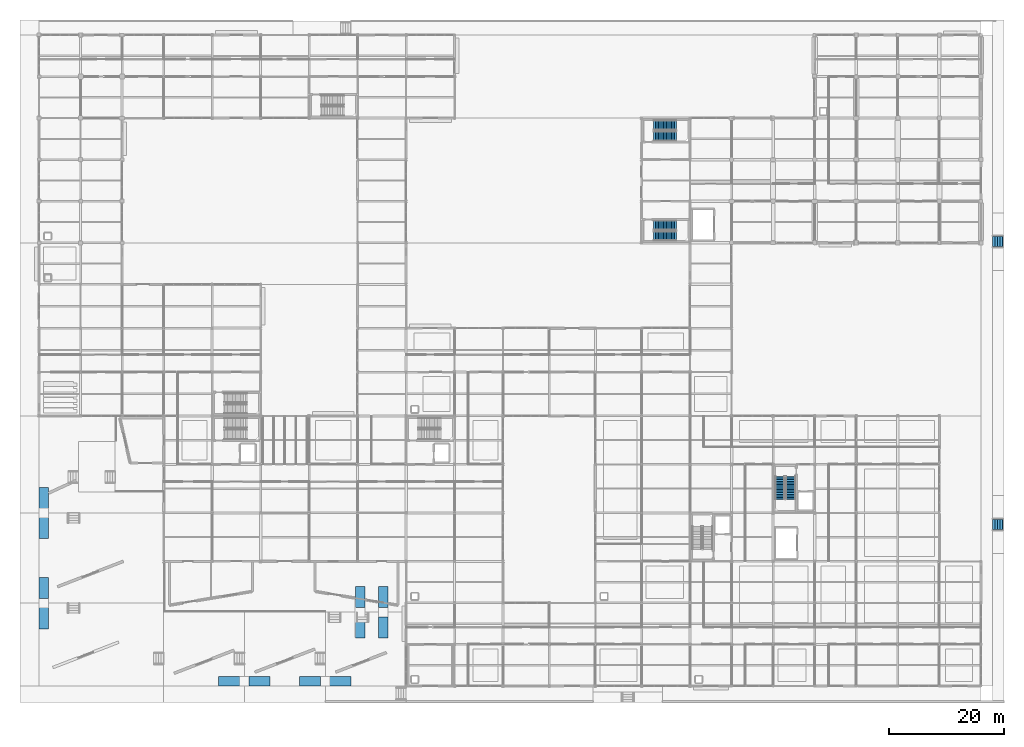
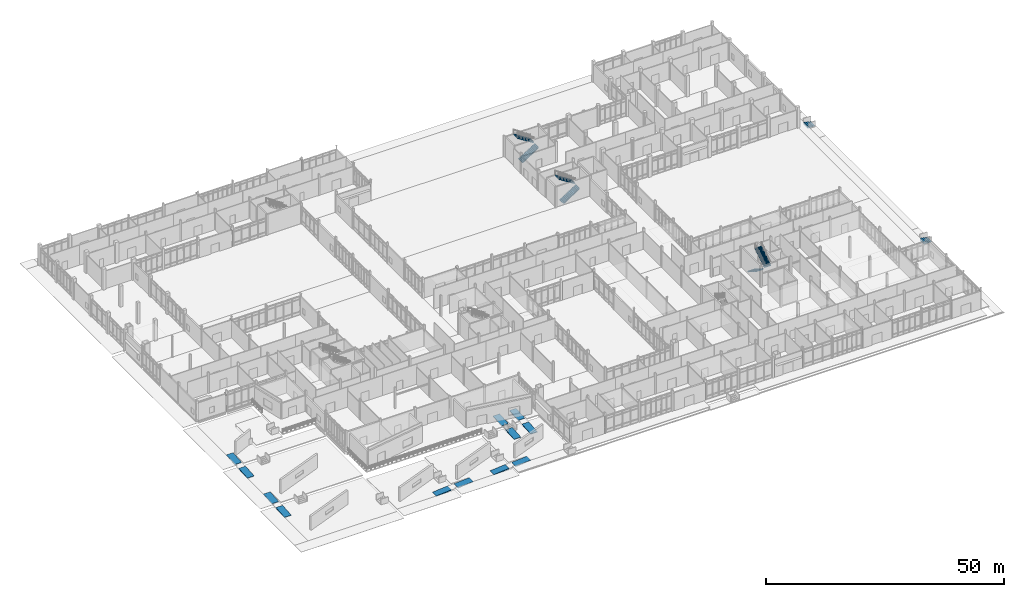
# One storey, part 204 of 229: 12 ramp flights, 8 stair flights, 11 elements without a shape of their own.
"""IFC4 building model written with IfcOpenShell, lengths in metres."""

from ifc_helpers import new_model, si_unit, direction, frame, origin, place, context, subcontext, project, spatial, polyline, outline, extrude, material, layer, layer_set, type_object, element, aggregate, save


model = new_model("IFC4")

# Units and contexts
model_context = context("Model", 3, precision=1e-05, world=origin(), true_north=direction((0.0, 1.0)))
body_context = subcontext(model_context, "Body", "Model", "MODEL_VIEW")
ifc_project = project(units=[si_unit("LENGTHUNIT", "METRE"), si_unit("AREAUNIT", "SQUARE_METRE"), si_unit("VOLUMEUNIT", "CUBIC_METRE"), si_unit("PLANEANGLEUNIT", "RADIAN"), si_unit("MASSUNIT", "GRAM", prefix="KILO")], contexts=[model_context])

# Site, building, storey
site_placement = place(None, origin())
site = spatial("IfcSite", under=ifc_project, at=site_placement, CompositionType="ELEMENT")
building_placement = place(site_placement, origin())
building = spatial("IfcBuilding", under=site, at=building_placement, Name="Calvrana Isthmian Art Gallery", CompositionType="ELEMENT")
storey_placement = place(building_placement, origin())
storey = spatial("IfcBuildingStorey", under=building, at=storey_placement, Name="L00", CompositionType="ELEMENT", Elevation=0.0)

# Stair, stair flights
ifc_material = material(Name="Concrete C40/50", Category="concrete")
stair_type_1 = type_object("IfcStairType", Name="STR-HT-540", PredefinedType="HALF_TURN_STAIR", material=ifc_material)
stair_1_placement = place(storey_placement, origin())
stair_1 = element("IfcStair", 1, at=stair_1_placement, inside=storey, type_object=stair_type_1, Name="Protected exit stair ST-4 (L00)", PredefinedType="HALF_TURN_STAIR")
stair_flight_type_1 = type_object("IfcStairFlightType", Name="STF-1660", PredefinedType="STRAIGHT", material=ifc_material)
stair_flight_1_placement = place(storey_placement, frame((128.3798828125, 36.300048828125, 0.0), z_axis=(0.0, 0.0, 1.0), x_axis=(0.0, -1.0, 0.0)))
stair_flight_1 = element("IfcStairFlight", 2, at=stair_flight_1_placement, type_object=stair_flight_type_1, Name="ST-4 flight 1", NumberOfRisers=15, NumberOfTreads=14, PredefinedType="STRAIGHT", RiserHeight=0.18, TreadLength=0.28, context=body_context, shape_type="SweptSolid", body=[
    extrude(outline(polyline([(-0.02490234375, 0.0), (-0.02490234375, 0.06005859375), (0.0, 0.06005859375), (0.0, 0.179931640625), (0.280029296875, 0.179931640625), (0.280029296875, 0.360107421875), (0.56005859375, 0.360107421875), (0.56005859375, 0.5400390625), (0.840087890625, 0.5400390625), (0.840087890625, 0.719970703125), (1.1201171875, 0.719970703125), (1.1201171875, 0.89990234375), (1.39990234375, 0.89990234375), (1.39990234375, 1.080078125), (1.679931640625, 1.080078125), (1.679931640625, 1.260009765625), (1.9599609375, 1.260009765625), (1.9599609375, 1.43994140625), (2.239990234375, 1.43994140625), (2.239990234375, 1.6201171875), (2.52001953125, 1.6201171875), (2.52001953125, 1.800048828125), (2.800048828125, 1.800048828125), (2.800048828125, 1.97998046875), (3.080078125, 1.97998046875), (3.080078125, 2.159912109375), (3.360107421875, 2.159912109375), (3.360107421875, 2.340087890625), (3.639892578125, 2.340087890625), (3.639892578125, 2.52001953125), (3.919921875, 2.52001953125), (3.919921875, 2.699951171875), (3.945068359375, 2.699951171875), (3.945068359375, 2.341796875), (3.919921875, 2.341796875), (0.277099609375, 0.0), (-0.02490234375, 0.0)])), frame((0.0, 0.830078125, 0.0), z_axis=(0.0, -1.0, 0.0), x_axis=(1.0, 0.0, 0.0)), (0.0, 0.0, 1.0), 1.659912109375),
])
stair_flight_2_placement = place(storey_placement, frame((130.239990234375, 32.3798828125, 2.699951171875), z_axis=(0.0, 0.0, 1.0), x_axis=(0.0, 1.0, 0.0)))
stair_flight_2 = element("IfcStairFlight", 3, at=stair_flight_2_placement, type_object=stair_flight_type_1, Name="ST-4 flight 2", NumberOfRisers=15, NumberOfTreads=14, PredefinedType="STRAIGHT", RiserHeight=0.18, TreadLength=0.28, context=body_context, shape_type="SweptSolid", body=[
    extrude(outline(polyline([(-0.02490234375, 0.0), (-0.02490234375, 0.06005859375), (0.0, 0.06005859375), (0.0, 0.179931640625), (0.280029296875, 0.179931640625), (0.280029296875, 0.360107421875), (0.56005859375, 0.360107421875), (0.56005859375, 0.5400390625), (0.840087890625, 0.5400390625), (0.840087890625, 0.719970703125), (1.1201171875, 0.719970703125), (1.1201171875, 0.89990234375), (1.39990234375, 0.89990234375), (1.39990234375, 1.080078125), (1.679931640625, 1.080078125), (1.679931640625, 1.260009765625), (1.9599609375, 1.260009765625), (1.9599609375, 1.43994140625), (2.239990234375, 1.43994140625), (2.239990234375, 1.6201171875), (2.52001953125, 1.6201171875), (2.52001953125, 1.800048828125), (2.800048828125, 1.800048828125), (2.800048828125, 1.97998046875), (3.080078125, 1.97998046875), (3.080078125, 2.159912109375), (3.360107421875, 2.159912109375), (3.360107421875, 2.340087890625), (3.639892578125, 2.340087890625), (3.639892578125, 2.52001953125), (3.919921875, 2.52001953125), (3.919921875, 2.699951171875), (3.945068359375, 2.699951171875), (3.945068359375, 2.341796875), (3.919921875, 2.341796875), (0.277099609375, 0.0), (-0.02490234375, 0.0)])), frame((0.0, 0.830078125, 0.0), z_axis=(0.0, -1.0, 0.0), x_axis=(1.0, 0.0, 0.0)), (0.0, 0.0, 1.0), 1.659912109375),
])
aggregate(stair_1, [stair_flight_1, stair_flight_2])

stair_2_placement = place(storey_placement, origin())
stair_2 = element("IfcStair", 4, at=stair_2_placement, inside=storey, type_object=stair_type_1, Name="Protected exit stair ST-5 (L00)", PredefinedType="HALF_TURN_STAIR")
stair_flight_3_placement = place(storey_placement, frame((106.5, 77.97998046875, 0.0), z_axis=(0.0, 0.0, 1.0), x_axis=(1.0, 0.0, 0.0)))
stair_flight_3 = element("IfcStairFlight", 5, at=stair_flight_3_placement, type_object=stair_flight_type_1, Name="ST-5 flight 1", NumberOfRisers=15, NumberOfTreads=14, PredefinedType="STRAIGHT", RiserHeight=0.18, TreadLength=0.28, context=body_context, shape_type="SweptSolid", body=[
    extrude(outline(polyline([(-0.02490234375, 0.0), (-0.02490234375, 0.06005859375), (0.0, 0.06005859375), (0.0, 0.179931640625), (0.280029296875, 0.179931640625), (0.280029296875, 0.360107421875), (0.56005859375, 0.360107421875), (0.56005859375, 0.5400390625), (0.840087890625, 0.5400390625), (0.840087890625, 0.719970703125), (1.1201171875, 0.719970703125), (1.1201171875, 0.89990234375), (1.39990234375, 0.89990234375), (1.39990234375, 1.080078125), (1.679931640625, 1.080078125), (1.679931640625, 1.260009765625), (1.9599609375, 1.260009765625), (1.9599609375, 1.43994140625), (2.239990234375, 1.43994140625), (2.239990234375, 1.6201171875), (2.52001953125, 1.6201171875), (2.52001953125, 1.800048828125), (2.800048828125, 1.800048828125), (2.800048828125, 1.97998046875), (3.080078125, 1.97998046875), (3.080078125, 2.159912109375), (3.360107421875, 2.159912109375), (3.360107421875, 2.340087890625), (3.639892578125, 2.340087890625), (3.639892578125, 2.52001953125), (3.919921875, 2.52001953125), (3.919921875, 2.699951171875), (3.945068359375, 2.699951171875), (3.945068359375, 2.341796875), (3.919921875, 2.341796875), (0.277099609375, 0.0), (-0.02490234375, 0.0)])), frame((0.0, 0.830078125, 0.0), z_axis=(0.0, -1.0, 0.0), x_axis=(1.0, 0.0, 0.0)), (0.0, 0.0, 1.0), 1.659912109375),
])
stair_flight_4_placement = place(storey_placement, frame((110.419921875, 79.840087890625, 2.699951171875), z_axis=(0.0, 0.0, 1.0), x_axis=(-1.0, 0.0, 0.0)))
stair_flight_4 = element("IfcStairFlight", 6, at=stair_flight_4_placement, type_object=stair_flight_type_1, Name="ST-5 flight 2", NumberOfRisers=15, NumberOfTreads=14, PredefinedType="STRAIGHT", RiserHeight=0.18, TreadLength=0.28, context=body_context, shape_type="SweptSolid", body=[
    extrude(outline(polyline([(-0.02490234375, 0.0), (-0.02490234375, 0.06005859375), (0.0, 0.06005859375), (0.0, 0.179931640625), (0.280029296875, 0.179931640625), (0.280029296875, 0.360107421875), (0.56005859375, 0.360107421875), (0.56005859375, 0.5400390625), (0.840087890625, 0.5400390625), (0.840087890625, 0.719970703125), (1.1201171875, 0.719970703125), (1.1201171875, 0.89990234375), (1.39990234375, 0.89990234375), (1.39990234375, 1.080078125), (1.679931640625, 1.080078125), (1.679931640625, 1.260009765625), (1.9599609375, 1.260009765625), (1.9599609375, 1.43994140625), (2.239990234375, 1.43994140625), (2.239990234375, 1.6201171875), (2.52001953125, 1.6201171875), (2.52001953125, 1.800048828125), (2.800048828125, 1.800048828125), (2.800048828125, 1.97998046875), (3.080078125, 1.97998046875), (3.080078125, 2.159912109375), (3.360107421875, 2.159912109375), (3.360107421875, 2.340087890625), (3.639892578125, 2.340087890625), (3.639892578125, 2.52001953125), (3.919921875, 2.52001953125), (3.919921875, 2.699951171875), (3.945068359375, 2.699951171875), (3.945068359375, 2.341796875), (3.919921875, 2.341796875), (0.277099609375, 0.0), (-0.02490234375, 0.0)])), frame((0.0, 0.830078125, 0.0), z_axis=(0.0, -1.0, 0.0), x_axis=(1.0, 0.0, 0.0)), (0.0, 0.0, 1.0), 1.659912109375),
])
aggregate(stair_2, [stair_flight_3, stair_flight_4])

stair_type_2 = type_object("IfcStairType", Name="STR-TSR-540", PredefinedType="TWO_STRAIGHT_RUN_STAIR", material=ifc_material)
stair_3_placement = place(storey_placement, origin())
stair_3 = element("IfcStair", 7, at=stair_3_placement, inside=storey, type_object=stair_type_2, Name="Protected exit stair ST-8 (L00)", PredefinedType="TWO_STRAIGHT_RUN_STAIR")
stair_flight_type_2 = type_object("IfcStairFlightType", Name="STF-1700", PredefinedType="STRAIGHT", material=ifc_material)
stair_flight_5_placement = place(storey_placement, frame((106.5, 95.280029296875, 0.0), z_axis=(0.0, 0.0, 1.0), x_axis=(1.0, 0.0, 0.0)))
stair_flight_5 = element("IfcStairFlight", 8, at=stair_flight_5_placement, type_object=stair_flight_type_2, Name="ST-8 flight 1", NumberOfRisers=15, NumberOfTreads=14, PredefinedType="STRAIGHT", RiserHeight=0.18, TreadLength=0.28, context=body_context, shape_type="SweptSolid", body=[
    extrude(outline(polyline([(-0.02490234375, 0.0), (-0.02490234375, 0.06005859375), (0.0, 0.06005859375), (0.0, 0.179931640625), (0.280029296875, 0.179931640625), (0.280029296875, 0.360107421875), (0.56005859375, 0.360107421875), (0.56005859375, 0.5400390625), (0.840087890625, 0.5400390625), (0.840087890625, 0.719970703125), (1.1201171875, 0.719970703125), (1.1201171875, 0.89990234375), (1.39990234375, 0.89990234375), (1.39990234375, 1.080078125), (1.679931640625, 1.080078125), (1.679931640625, 1.260009765625), (1.9599609375, 1.260009765625), (1.9599609375, 1.43994140625), (2.239990234375, 1.43994140625), (2.239990234375, 1.6201171875), (2.52001953125, 1.6201171875), (2.52001953125, 1.800048828125), (2.800048828125, 1.800048828125), (2.800048828125, 1.97998046875), (3.080078125, 1.97998046875), (3.080078125, 2.159912109375), (3.360107421875, 2.159912109375), (3.360107421875, 2.340087890625), (3.639892578125, 2.340087890625), (3.639892578125, 2.52001953125), (3.919921875, 2.52001953125), (3.919921875, 2.699951171875), (3.945068359375, 2.699951171875), (3.945068359375, 2.341796875), (3.919921875, 2.341796875), (0.277099609375, 0.0), (-0.02490234375, 0.0)])), frame((0.0, 0.85009765625, 0.0), z_axis=(0.0, -1.0, 0.0), x_axis=(1.0, 0.0, 0.0)), (0.0, 0.0, 1.0), 1.699951171875),
])
stair_flight_6_placement = place(storey_placement, frame((110.419921875, 97.179931640625, 2.699951171875), z_axis=(0.0, 0.0, 1.0), x_axis=(-1.0, 0.0, 0.0)))
stair_flight_6 = element("IfcStairFlight", 9, at=stair_flight_6_placement, type_object=stair_flight_type_2, Name="ST-8 flight 2", NumberOfRisers=15, NumberOfTreads=14, PredefinedType="STRAIGHT", RiserHeight=0.18, TreadLength=0.28, context=body_context, shape_type="SweptSolid", body=[
    extrude(outline(polyline([(-0.02490234375, 0.0), (-0.02490234375, 0.06005859375), (0.0, 0.06005859375), (0.0, 0.179931640625), (0.280029296875, 0.179931640625), (0.280029296875, 0.360107421875), (0.56005859375, 0.360107421875), (0.56005859375, 0.5400390625), (0.840087890625, 0.5400390625), (0.840087890625, 0.719970703125), (1.1201171875, 0.719970703125), (1.1201171875, 0.89990234375), (1.39990234375, 0.89990234375), (1.39990234375, 1.080078125), (1.679931640625, 1.080078125), (1.679931640625, 1.260009765625), (1.9599609375, 1.260009765625), (1.9599609375, 1.43994140625), (2.239990234375, 1.43994140625), (2.239990234375, 1.6201171875), (2.52001953125, 1.6201171875), (2.52001953125, 1.800048828125), (2.800048828125, 1.800048828125), (2.800048828125, 1.97998046875), (3.080078125, 1.97998046875), (3.080078125, 2.159912109375), (3.360107421875, 2.159912109375), (3.360107421875, 2.340087890625), (3.639892578125, 2.340087890625), (3.639892578125, 2.52001953125), (3.919921875, 2.52001953125), (3.919921875, 2.699951171875), (3.945068359375, 2.699951171875), (3.945068359375, 2.341796875), (3.919921875, 2.341796875), (0.277099609375, 0.0), (-0.02490234375, 0.0)])), frame((0.0, 0.85009765625, 0.0), z_axis=(0.0, -1.0, 0.0), x_axis=(1.0, 0.0, 0.0)), (0.0, 0.0, 1.0), 1.699951171875),
])
aggregate(stair_3, [stair_flight_5, stair_flight_6])

# Stair, stair flight
stair_type_3 = type_object("IfcStairType", Name="STR-EXT-176", PredefinedType="STRAIGHT_RUN_STAIR", material=ifc_material)
stair_4_placement = place(storey_placement, origin())
stair_4 = element("IfcStair", 10, at=stair_4_placement, inside=storey, type_object=stair_type_3, Name="Monumental exterior terrace stair ST-E10", PredefinedType="STRAIGHT_RUN_STAIR")
stair_flight_type_3 = type_object("IfcStairFlightType", Name="STF-1760", PredefinedType="STRAIGHT", material=ifc_material)
stair_flight_7_placement = place(storey_placement, frame((166.9599609375, 77.0, -0.60009765625), z_axis=(0.0, 0.0, 1.0), x_axis=(-1.0, 0.0, 0.0)))
stair_flight_7 = element("IfcStairFlight", 11, at=stair_flight_7_placement, type_object=stair_flight_type_3, Name="ST-E10 flight 1", NumberOfRisers=5, NumberOfTreads=4, PredefinedType="STRAIGHT", RiserHeight=0.12, TreadLength=0.44, context=body_context, shape_type="SweptSolid", body=[
    extrude(outline(polyline([(-0.02490234375, 0.0), (-0.02490234375, 0.06005859375), (0.0, 0.06005859375), (0.0, 0.1201171875), (0.43994140625, 0.1201171875), (0.43994140625, 0.239990234375), (0.8798828125, 0.239990234375), (0.8798828125, 0.360107421875), (1.320068359375, 0.360107421875), (1.320068359375, 0.47998046875), (1.760009765625, 0.47998046875), (1.760009765625, 0.60009765625), (1.784912109375, 0.60009765625), (1.784912109375, 0.0), (-0.02490234375, 0.0)])), frame((0.0, 0.8798828125, 0.0), z_axis=(0.0, -1.0, 0.0), x_axis=(1.0, 0.0, 0.0)), (0.0, 0.0, 1.0), 1.760009765625),
])
aggregate(stair_4, [stair_flight_7])

stair_5_placement = place(storey_placement, origin())
stair_5 = element("IfcStair", 12, at=stair_5_placement, inside=storey, type_object=stair_type_3, Name="Monumental exterior terrace stair ST-E13", PredefinedType="STRAIGHT_RUN_STAIR")
stair_flight_8_placement = place(storey_placement, frame((166.9599609375, 28.0, -0.60009765625), z_axis=(0.0, 0.0, 1.0), x_axis=(-1.0, 0.0, 0.0)))
stair_flight_8 = element("IfcStairFlight", 13, at=stair_flight_8_placement, type_object=stair_flight_type_3, Name="ST-E13 flight 1", NumberOfRisers=5, NumberOfTreads=4, PredefinedType="STRAIGHT", RiserHeight=0.12, TreadLength=0.44, context=body_context, shape_type="SweptSolid", body=[
    extrude(outline(polyline([(-0.02490234375, 0.0), (-0.02490234375, 0.06005859375), (0.0, 0.06005859375), (0.0, 0.1201171875), (0.43994140625, 0.1201171875), (0.43994140625, 0.239990234375), (0.8798828125, 0.239990234375), (0.8798828125, 0.360107421875), (1.320068359375, 0.360107421875), (1.320068359375, 0.47998046875), (1.760009765625, 0.47998046875), (1.760009765625, 0.60009765625), (1.784912109375, 0.60009765625), (1.784912109375, 0.0), (-0.02490234375, 0.0)])), frame((0.0, 0.8798828125, 0.0), z_axis=(0.0, -1.0, 0.0), x_axis=(1.0, 0.0, 0.0)), (0.0, 0.0, 1.0), 1.760009765625),
])
aggregate(stair_5, [stair_flight_8])

# Ramp, ramp flights
ramp_type = type_object("IfcRampType", Name="RMP-SENADIS-165", PredefinedType="STRAIGHT_RUN_RAMP", material=ifc_material)
ramp_1_placement = place(storey_placement, origin())
ramp_1 = element("IfcRamp", 14, at=ramp_1_placement, inside=storey, type_object=ramp_type, Name="SENADIS universal access ramp RMP-01", PredefinedType="STRAIGHT_RUN_RAMP")
ifc_layer = layer(ifc_material, 0.179931640625, Name="Concrete C40/50")
ifc_layer_set = layer_set([ifc_layer], Name="Concrete C40/50")
ramp_flight_type = type_object("IfcRampFlightType", Name="RMF-SENADIS-165", PredefinedType="STRAIGHT", material=ifc_layer_set)
ramp_flight_1_placement = place(storey_placement, frame((0.824951171875, 9.919921875, -2.39990234375), z_axis=(0.0, 0.0, 1.0), x_axis=(0.0, 1.0, 0.0)))
ramp_flight_1 = element("IfcRampFlight", 15, at=ramp_flight_1_placement, type_object=ramp_flight_type, Name="Ramp RMP-01 lower flight", PredefinedType="STRAIGHT", context=body_context, shape_type="SweptSolid", body=[
    extrude(outline(polyline([(0.0, -0.179931640625), (0.0, 0.0), (3.66015625, 0.2998046875), (3.66015625, 0.119873046875), (0.0, -0.179931640625)])), frame((0.0, 0.824951171875, 0.0), z_axis=(0.0, -1.0, 0.0), x_axis=(1.0, 0.0, 0.0)), (0.0, 0.0, 1.0), 1.64990234375),
])
ramp_flight_2_placement = place(storey_placement, frame((0.824951171875, 15.169921875, -2.10009765625), z_axis=(0.0, 0.0, 1.0), x_axis=(0.0, 1.0, 0.0)))
ramp_flight_2 = element("IfcRampFlight", 16, at=ramp_flight_2_placement, type_object=ramp_flight_type, Name="Ramp RMP-01 upper flight", PredefinedType="STRAIGHT", context=body_context, shape_type="SweptSolid", body=[
    extrude(outline(polyline([(0.0, -0.179931640625), (0.0, 0.0), (3.66015625, 0.300048828125), (3.66015625, 0.1201171875), (0.0, -0.179931640625)])), frame((0.0, 0.824951171875, 0.0), z_axis=(0.0, -1.0, 0.0), x_axis=(1.0, 0.0, 0.0)), (0.0, 0.0, 1.0), 1.64990234375),
])
aggregate(ramp_1, [ramp_flight_1, ramp_flight_2])

ramp_2_placement = place(storey_placement, origin())
ramp_2 = element("IfcRamp", 17, at=ramp_2_placement, inside=storey, type_object=ramp_type, Name="SENADIS universal access ramp RMP-02", PredefinedType="STRAIGHT_RUN_RAMP")
ramp_flight_3_placement = place(storey_placement, frame((0.824951171875, 25.52001953125, -1.800048828125), z_axis=(0.0, 0.0, 1.0), x_axis=(0.0, 1.0, 0.0)))
ramp_flight_3 = element("IfcRampFlight", 18, at=ramp_flight_3_placement, type_object=ramp_flight_type, Name="Ramp RMP-02 lower flight", PredefinedType="STRAIGHT", context=body_context, shape_type="SweptSolid", body=[
    extrude(outline(polyline([(0.0, -0.179931640625), (0.0, 0.0), (3.659912109375, 0.300048828125), (3.659912109375, 0.1201171875), (0.0, -0.179931640625)])), frame((0.0, 0.824951171875, 0.0), z_axis=(0.0, -1.0, 0.0), x_axis=(1.0, 0.0, 0.0)), (0.0, 0.0, 1.0), 1.64990234375),
])
ramp_flight_4_placement = place(storey_placement, frame((0.824951171875, 30.77001953125, -1.5), z_axis=(0.0, 0.0, 1.0), x_axis=(0.0, 1.0, 0.0)))
ramp_flight_4 = element("IfcRampFlight", 19, at=ramp_flight_4_placement, type_object=ramp_flight_type, Name="Ramp RMP-02 upper flight", PredefinedType="STRAIGHT", context=body_context, shape_type="SweptSolid", body=[
    extrude(outline(polyline([(0.0, -0.179931640625), (0.0, 0.0), (3.659912109375, 0.300048828125), (3.659912109375, 0.1201171875), (0.0, -0.179931640625)])), frame((0.0, 0.824951171875, 0.0), z_axis=(0.0, -1.0, 0.0), x_axis=(1.0, 0.0, 0.0)), (0.0, 0.0, 1.0), 1.64990234375),
])
aggregate(ramp_2, [ramp_flight_3, ramp_flight_4])

ramp_3_placement = place(storey_placement, origin())
ramp_3 = element("IfcRamp", 20, at=ramp_3_placement, inside=storey, type_object=ramp_type, Name="SENADIS universal access ramp RMP-03", PredefinedType="STRAIGHT_RUN_RAMP")
ramp_flight_5_placement = place(storey_placement, frame((31.1201171875, 0.824951171875, -1.800048828125), z_axis=(0.0, 0.0, 1.0), x_axis=(1.0, 0.0, 0.0)))
ramp_flight_5 = element("IfcRampFlight", 21, at=ramp_flight_5_placement, type_object=ramp_flight_type, Name="Ramp RMP-03 lower flight", PredefinedType="STRAIGHT", context=body_context, shape_type="SweptSolid", body=[
    extrude(outline(polyline([(0.0, -0.179931640625), (0.0, 0.0), (3.659912109375, 0.300048828125), (3.659912109375, 0.1201171875), (0.0, -0.179931640625)])), frame((0.0, 0.824951171875, 0.0), z_axis=(0.0, -1.0, 0.0), x_axis=(1.0, 0.0, 0.0)), (0.0, 0.0, 1.0), 1.64990234375),
])
ramp_flight_6_placement = place(storey_placement, frame((36.3701171875, 0.824951171875, -1.5), z_axis=(0.0, 0.0, 1.0), x_axis=(1.0, 0.0, 0.0)))
ramp_flight_6 = element("IfcRampFlight", 22, at=ramp_flight_6_placement, type_object=ramp_flight_type, Name="Ramp RMP-03 upper flight", PredefinedType="STRAIGHT", context=body_context, shape_type="SweptSolid", body=[
    extrude(outline(polyline([(0.0, -0.179931640625), (0.0, 0.0), (3.659912109375, 0.300048828125), (3.659912109375, 0.1201171875), (0.0, -0.179931640625)])), frame((0.0, 0.824951171875, 0.0), z_axis=(0.0, -1.0, 0.0), x_axis=(1.0, 0.0, 0.0)), (0.0, 0.0, 1.0), 1.64990234375),
])
aggregate(ramp_3, [ramp_flight_5, ramp_flight_6])

ramp_4_placement = place(storey_placement, origin())
ramp_4 = element("IfcRamp", 23, at=ramp_4_placement, inside=storey, type_object=ramp_type, Name="SENADIS universal access ramp RMP-04", PredefinedType="STRAIGHT_RUN_RAMP")
ramp_flight_7_placement = place(storey_placement, frame((45.1201171875, 0.824951171875, -1.199951171875), z_axis=(0.0, 0.0, 1.0), x_axis=(1.0, 0.0, 0.0)))
ramp_flight_7 = element("IfcRampFlight", 24, at=ramp_flight_7_placement, type_object=ramp_flight_type, Name="Ramp RMP-04 lower flight", PredefinedType="STRAIGHT", context=body_context, shape_type="SweptSolid", body=[
    extrude(outline(polyline([(0.0, -0.179931640625), (0.0, 0.0), (3.659912109375, 0.300048828125), (3.659912109375, 0.1201171875), (0.0, -0.179931640625)])), frame((0.0, 0.824951171875, 0.0), z_axis=(0.0, -1.0, 0.0), x_axis=(1.0, 0.0, 0.0)), (0.0, 0.0, 1.0), 1.64990234375),
])
ramp_flight_8_placement = place(storey_placement, frame((50.3701171875, 0.824951171875, -0.89990234375), z_axis=(0.0, 0.0, 1.0), x_axis=(1.0, 0.0, 0.0)))
ramp_flight_8 = element("IfcRampFlight", 25, at=ramp_flight_8_placement, type_object=ramp_flight_type, Name="Ramp RMP-04 upper flight", PredefinedType="STRAIGHT", context=body_context, shape_type="SweptSolid", body=[
    extrude(outline(polyline([(0.0, -0.179931640625), (0.0, 0.0), (3.659912109375, 0.2998046875), (3.659912109375, 0.119873046875), (0.0, -0.179931640625)])), frame((0.0, 0.824951171875, 0.0), z_axis=(0.0, -1.0, 0.0), x_axis=(1.0, 0.0, 0.0)), (0.0, 0.0, 1.0), 1.64990234375),
])
aggregate(ramp_4, [ramp_flight_7, ramp_flight_8])

ramp_5_placement = place(storey_placement, origin())
ramp_5 = element("IfcRamp", 26, at=ramp_5_placement, inside=storey, type_object=ramp_type, Name="SENADIS universal access ramp RMP-05", PredefinedType="STRAIGHT_RUN_RAMP")
ramp_flight_9_placement = place(storey_placement, frame((59.625, 8.320068359375, -0.60009765625), z_axis=(0.0, 0.0, 1.0), x_axis=(0.0, 1.0, 0.0)))
ramp_flight_9 = element("IfcRampFlight", 27, at=ramp_flight_9_placement, type_object=ramp_flight_type, Name="Ramp RMP-05 lower flight", PredefinedType="STRAIGHT", context=body_context, shape_type="SweptSolid", body=[
    extrude(outline(polyline([(0.0, -0.179931640625), (0.0, 0.0), (3.659912109375, 0.300048828125), (3.659912109375, 0.1201171875), (0.0, -0.179931640625)])), frame((0.0, 0.824951171875, 0.0), z_axis=(0.0, -1.0, 0.0), x_axis=(1.0, 0.0, 0.0)), (0.0, 0.0, 1.0), 1.64990234375),
])
ramp_flight_10_placement = place(storey_placement, frame((59.625, 13.570068359375, -0.300048828125), z_axis=(0.0, 0.0, 1.0), x_axis=(0.0, 1.0, 0.0)))
ramp_flight_10 = element("IfcRampFlight", 28, at=ramp_flight_10_placement, type_object=ramp_flight_type, Name="Ramp RMP-05 upper flight", PredefinedType="STRAIGHT", context=body_context, shape_type="SweptSolid", body=[
    extrude(outline(polyline([(0.0, -0.179931640625), (0.0, 0.0), (3.659912109375, 0.300048828125), (3.659912109375, 0.1201171875), (0.0, -0.179931640625)])), frame((0.0, 0.824951171875, 0.0), z_axis=(0.0, -1.0, 0.0), x_axis=(1.0, 0.0, 0.0)), (0.0, 0.0, 1.0), 1.64990234375),
])
aggregate(ramp_5, [ramp_flight_9, ramp_flight_10])

ramp_6_placement = place(storey_placement, origin())
ramp_6 = element("IfcRamp", 29, at=ramp_6_placement, inside=storey, type_object=ramp_type, Name="SENADIS universal access ramp RMP-06", PredefinedType="STRAIGHT_RUN_RAMP")
ramp_flight_11_placement = place(storey_placement, frame((55.625, 8.320068359375, -0.60009765625), z_axis=(0.0, 0.0, 1.0), x_axis=(0.0, 1.0, 0.0)))
ramp_flight_11 = element("IfcRampFlight", 30, at=ramp_flight_11_placement, type_object=ramp_flight_type, Name="Ramp RMP-06 lower flight", PredefinedType="STRAIGHT", context=body_context, shape_type="SweptSolid", body=[
    extrude(outline(polyline([(0.0, -0.179931640625), (0.0, 0.0), (3.659912109375, 0.300048828125), (3.659912109375, 0.1201171875), (0.0, -0.179931640625)])), frame((0.0, 0.824951171875, 0.0), z_axis=(0.0, -1.0, 0.0), x_axis=(1.0, 0.0, 0.0)), (0.0, 0.0, 1.0), 1.64990234375),
])
ramp_flight_12_placement = place(storey_placement, frame((55.625, 13.570068359375, -0.300048828125), z_axis=(0.0, 0.0, 1.0), x_axis=(0.0, 1.0, 0.0)))
ramp_flight_12 = element("IfcRampFlight", 31, at=ramp_flight_12_placement, type_object=ramp_flight_type, Name="Ramp RMP-06 upper flight", PredefinedType="STRAIGHT", context=body_context, shape_type="SweptSolid", body=[
    extrude(outline(polyline([(0.0, -0.179931640625), (0.0, 0.0), (3.659912109375, 0.300048828125), (3.659912109375, 0.1201171875), (0.0, -0.179931640625)])), frame((0.0, 0.824951171875, 0.0), z_axis=(0.0, -1.0, 0.0), x_axis=(1.0, 0.0, 0.0)), (0.0, 0.0, 1.0), 1.64990234375),
])
aggregate(ramp_6, [ramp_flight_11, ramp_flight_12])

save(model, "model.ifc")
